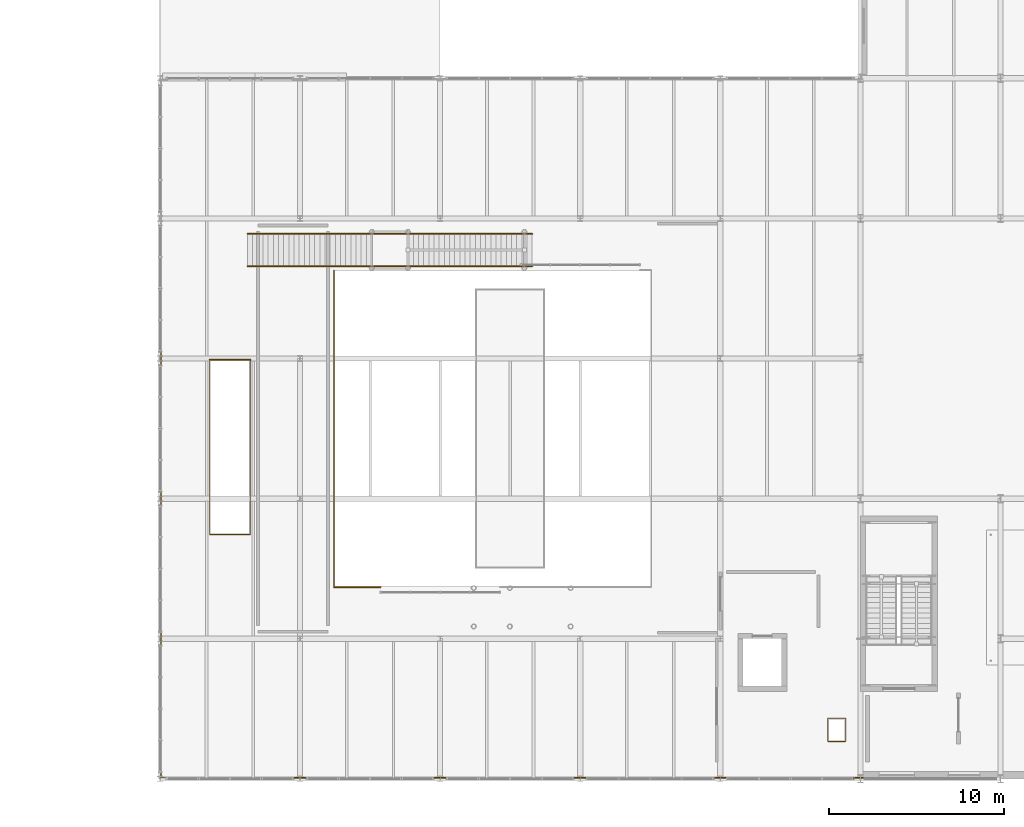
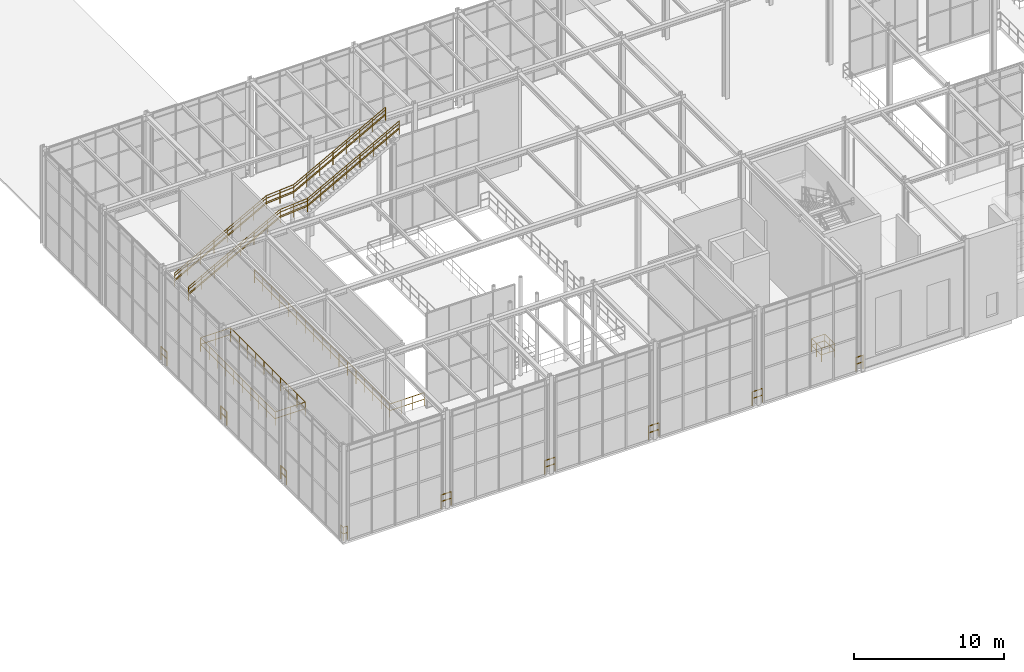
# One storey, part 127 of 138: 17 railings.
"""IFC4 building model written with IfcOpenShell, lengths in metres."""

from ifc_helpers import new_model, si_unit, direction, frame, origin, origin_2d, place, context, subcontext, project, spatial, circle, extrude, material, type_object, element, save


model = new_model("IFC4")

# Units and contexts
model_context = context("Model", 3, precision=1e-05, world=origin(), true_north=direction((0.0, 1.0)))
body_context = subcontext(model_context, "Body", "Model", "MODEL_VIEW")
ifc_project = project(units=[si_unit("LENGTHUNIT", "METRE"), si_unit("AREAUNIT", "SQUARE_METRE"), si_unit("VOLUMEUNIT", "CUBIC_METRE"), si_unit("PLANEANGLEUNIT", "RADIAN"), si_unit("MASSUNIT", "GRAM", prefix="KILO")], contexts=[model_context])

# Site, building, storey
site_placement = place(None, origin())
site = spatial("IfcSite", under=ifc_project, at=site_placement, CompositionType="ELEMENT")
building_placement = place(site_placement, origin())
building = spatial("IfcBuilding", under=site, at=building_placement, Name="Sundkrona Museum", CompositionType="ELEMENT")
storey_placement = place(building_placement, frame((0.0, 0.0, 9.60009765625)))
storey = spatial("IfcBuildingStorey", under=building, at=storey_placement, Name="L02", CompositionType="ELEMENT", Elevation=9.60009765625)

# Railings
ifc_material_1 = material(Name="Painted Steel S355J2 and Laminated Glass Balustrade", Category="steel")
railing_type_1 = type_object("IfcRailingType", Name="RL-GUARD-1100", PredefinedType="BALUSTRADE", material=ifc_material_1)
railing_1_placement = place(storey_placement, frame((82.840087890625, 23.8798828125, 0.0)))
element("IfcRailing", 1, at=railing_1_placement, inside=storey, type_object=railing_type_1, Name="FS-2 Arrival Floor Well Balustrade", PredefinedType="BALUSTRADE", context=body_context, shape_type="SweptSolid", body=[
    extrude(circle(Radius=0.02392578125, at=origin_2d()), frame((0.0, 0.0, 1.09619140625), z_axis=(0.0, -1.0, 0.0), x_axis=(1.0, 0.0, 0.0)), (0.0, 0.0, 1.0), 9.919921875),
    extrude(circle(Radius=0.02392578125, at=origin_2d()), frame((0.0, 0.0, 0.56005859375), z_axis=(0.0, -1.0, 0.0), x_axis=(1.0, 0.0, 0.0)), (0.0, 0.0, 1.0), 9.919921875),
    extrude(circle(Radius=0.02392578125, at=origin_2d()), frame((0.0, -9.919921875, 1.09619140625), z_axis=(1.0, 0.0, 0.0), x_axis=(0.0, 1.0, 0.0)), (0.0, 0.0, 1.0), 2.31982421875),
    extrude(circle(Radius=0.02392578125, at=origin_2d()), frame((0.0, -9.919921875, 0.56005859375), z_axis=(1.0, 0.0, 0.0), x_axis=(0.0, 1.0, 0.0)), (0.0, 0.0, 1.0), 2.31982421875),
    extrude(circle(Radius=0.02392578125, at=origin_2d()), frame((2.31982421875, -9.919921875, 1.09619140625), z_axis=(0.0, 1.0, 0.0), x_axis=(-1.0, 0.0, 0.0)), (0.0, 0.0, 1.0), 9.919921875),
    extrude(circle(Radius=0.02392578125, at=origin_2d()), frame((2.31982421875, -9.919921875, 0.56005859375), z_axis=(0.0, 1.0, 0.0), x_axis=(-1.0, 0.0, 0.0)), (0.0, 0.0, 1.0), 9.919921875),
    extrude(circle(Radius=0.02099609375, at=origin_2d()), origin(), (0.0, 0.0, 1.0), 1.072021484375),
    extrude(circle(Radius=0.02099609375, at=origin_2d()), frame((0.0, -1.102294921875, 0.0)), (0.0, 0.0, 1.0), 1.072021484375),
    extrude(circle(Radius=0.02099609375, at=origin_2d()), frame((0.0, -2.204345703125, 0.0)), (0.0, 0.0, 1.0), 1.072021484375),
    extrude(circle(Radius=0.02099609375, at=origin_2d()), frame((0.0, -3.306640625, 0.0)), (0.0, 0.0, 1.0), 1.072021484375),
    extrude(circle(Radius=0.02099609375, at=origin_2d()), frame((0.0, -4.408935546875, 0.0)), (0.0, 0.0, 1.0), 1.072021484375),
    extrude(circle(Radius=0.02099609375, at=origin_2d()), frame((0.0, -5.510986328125, 0.0)), (0.0, 0.0, 1.0), 1.072021484375),
    extrude(circle(Radius=0.02099609375, at=origin_2d()), frame((0.0, -6.61328125, 0.0)), (0.0, 0.0, 1.0), 1.072021484375),
    extrude(circle(Radius=0.02099609375, at=origin_2d()), frame((0.0, -7.715576171875, 0.0)), (0.0, 0.0, 1.0), 1.072021484375),
    extrude(circle(Radius=0.02099609375, at=origin_2d()), frame((0.0, -8.817626953125, 0.0)), (0.0, 0.0, 1.0), 1.072021484375),
    extrude(circle(Radius=0.02099609375, at=origin_2d()), frame((0.0, -9.919921875, 0.0)), (0.0, 0.0, 1.0), 1.072021484375),
    extrude(circle(Radius=0.02099609375, at=origin_2d()), frame((1.159912109375, -9.919921875, 0.0)), (0.0, 0.0, 1.0), 1.072021484375),
    extrude(circle(Radius=0.02099609375, at=origin_2d()), frame((2.31982421875, -9.919921875, 0.0)), (0.0, 0.0, 1.0), 1.072021484375),
    extrude(circle(Radius=0.02099609375, at=origin_2d()), frame((2.31982421875, -8.817626953125, 0.0)), (0.0, 0.0, 1.0), 1.072021484375),
    extrude(circle(Radius=0.02099609375, at=origin_2d()), frame((2.31982421875, -7.715576171875, 0.0)), (0.0, 0.0, 1.0), 1.072021484375),
    extrude(circle(Radius=0.02099609375, at=origin_2d()), frame((2.31982421875, -6.61328125, 0.0)), (0.0, 0.0, 1.0), 1.072021484375),
    extrude(circle(Radius=0.02099609375, at=origin_2d()), frame((2.31982421875, -5.510986328125, 0.0)), (0.0, 0.0, 1.0), 1.072021484375),
    extrude(circle(Radius=0.02099609375, at=origin_2d()), frame((2.31982421875, -4.408935546875, 0.0)), (0.0, 0.0, 1.0), 1.072021484375),
    extrude(circle(Radius=0.02099609375, at=origin_2d()), frame((2.31982421875, -3.306640625, 0.0)), (0.0, 0.0, 1.0), 1.072021484375),
    extrude(circle(Radius=0.02099609375, at=origin_2d()), frame((2.31982421875, -2.204345703125, 0.0)), (0.0, 0.0, 1.0), 1.072021484375),
    extrude(circle(Radius=0.02099609375, at=origin_2d()), frame((2.31982421875, -1.102294921875, 0.0)), (0.0, 0.0, 1.0), 1.072021484375),
    extrude(circle(Radius=0.02099609375, at=origin_2d()), frame((2.31982421875, 0.0, 0.0)), (0.0, 0.0, 1.0), 1.072021484375),
])
railing_2_placement = place(storey_placement, frame((85.0, 31.125, 0.159912109375)))
element("IfcRailing", 2, at=railing_2_placement, inside=storey, type_object=railing_type_1, Name="FS-3 Feature Stair Balustrade L", PredefinedType="BALUSTRADE", context=body_context, shape_type="SweptSolid", body=[
    extrude(circle(Radius=0.02392578125, at=origin_2d()), frame((0.0, 0.0, 1.09619140625), z_axis=(0.879029487295, 0.0, 0.476767407092), x_axis=(0.0, 1.0, 0.0)), (0.0, 0.0, 1.0), 8.054443359375),
    extrude(circle(Radius=0.02392578125, at=origin_2d()), frame((0.0, 0.0, 0.56005859375), z_axis=(0.879029487295, 0.0, 0.476767407092), x_axis=(0.0, 1.0, 0.0)), (0.0, 0.0, 1.0), 8.054443359375),
    extrude(circle(Radius=0.02392578125, at=origin_2d()), frame((7.080078125, 0.0, 4.93603515625), z_axis=(0.997112840886, 0.0, 0.07593406706), x_axis=(0.0, 1.0, 0.0)), (0.0, 0.0, 1.0), 2.10595703125),
    extrude(circle(Radius=0.02392578125, at=origin_2d()), frame((7.080078125, 0.0, 4.400146484375), z_axis=(0.997112840886, 0.0, 0.07593406706), x_axis=(0.0, 1.0, 0.0)), (0.0, 0.0, 1.0), 2.10595703125),
    extrude(circle(Radius=0.02392578125, at=origin_2d()), frame((9.179931640625, 0.0, 5.09619140625), z_axis=(0.879029487295, 0.0, 0.476767407092), x_axis=(0.0, 1.0, 0.0)), (0.0, 0.0, 1.0), 8.054443359375),
    extrude(circle(Radius=0.02392578125, at=origin_2d()), frame((9.179931640625, 0.0, 4.56005859375), z_axis=(0.879029487295, 0.0, 0.476767407092), x_axis=(0.0, 1.0, 0.0)), (0.0, 0.0, 1.0), 8.054443359375),
    extrude(circle(Radius=0.02099609375, at=origin_2d()), origin(), (0.0, 0.0, 1.0), 1.072021484375),
    extrude(circle(Radius=0.02099609375, at=origin_2d()), frame((1.011474609375, 0.0, 0.548583984375)), (0.0, 0.0, 1.0), 1.072021484375),
    extrude(circle(Radius=0.02099609375, at=origin_2d()), frame((2.02294921875, 0.0, 1.09716796875)), (0.0, 0.0, 1.0), 1.072021484375),
    extrude(circle(Radius=0.02099609375, at=origin_2d()), frame((3.034423828125, 0.0, 1.645751953125)), (0.0, 0.0, 1.0), 1.072021484375),
    extrude(circle(Radius=0.02099609375, at=origin_2d()), frame((4.045654296875, 0.0, 2.1943359375)), (0.0, 0.0, 1.0), 1.072021484375),
    extrude(circle(Radius=0.02099609375, at=origin_2d()), frame((5.05712890625, 0.0, 2.742919921875)), (0.0, 0.0, 1.0), 1.072021484375),
    extrude(circle(Radius=0.02099609375, at=origin_2d()), frame((6.068603515625, 0.0, 3.29150390625)), (0.0, 0.0, 1.0), 1.072021484375),
    extrude(circle(Radius=0.02099609375, at=origin_2d()), frame((7.080078125, 0.0, 3.840087890625)), (0.0, 0.0, 1.0), 1.072021484375),
    extrude(circle(Radius=0.02099609375, at=origin_2d()), frame((8.1298828125, 0.0, 3.919921875)), (0.0, 0.0, 1.0), 1.072021484375),
    extrude(circle(Radius=0.02099609375, at=origin_2d()), frame((9.179931640625, 0.0, 4.0)), (0.0, 0.0, 1.0), 1.072021484375),
    extrude(circle(Radius=0.02099609375, at=origin_2d()), frame((10.19140625, 0.0, 4.548583984375)), (0.0, 0.0, 1.0), 1.072021484375),
    extrude(circle(Radius=0.02099609375, at=origin_2d()), frame((11.202880859375, 0.0, 5.09716796875)), (0.0, 0.0, 1.0), 1.072021484375),
    extrude(circle(Radius=0.02099609375, at=origin_2d()), frame((12.21435546875, 0.0, 5.645751953125)), (0.0, 0.0, 1.0), 1.072021484375),
    extrude(circle(Radius=0.02099609375, at=origin_2d()), frame((13.2255859375, 0.0, 6.1943359375)), (0.0, 0.0, 1.0), 1.072021484375),
    extrude(circle(Radius=0.02099609375, at=origin_2d()), frame((14.237060546875, 0.0, 6.742919921875)), (0.0, 0.0, 1.0), 1.072021484375),
    extrude(circle(Radius=0.02099609375, at=origin_2d()), frame((15.24853515625, 0.0, 7.29150390625)), (0.0, 0.0, 1.0), 1.072021484375),
    extrude(circle(Radius=0.02099609375, at=origin_2d()), frame((16.260009765625, 0.0, 7.840087890625)), (0.0, 0.0, 1.0), 1.072021484375),
])
railing_3_placement = place(storey_placement, frame((85.0, 29.27490234375, 0.159912109375)))
element("IfcRailing", 3, at=railing_3_placement, inside=storey, type_object=railing_type_1, Name="FS-3 Feature Stair Balustrade R", PredefinedType="BALUSTRADE", context=body_context, shape_type="SweptSolid", body=[
    extrude(circle(Radius=0.02392578125, at=origin_2d()), frame((0.0, 0.0, 1.09619140625), z_axis=(0.879029487295, 0.0, 0.476767407092), x_axis=(0.0, 1.0, 0.0)), (0.0, 0.0, 1.0), 8.054443359375),
    extrude(circle(Radius=0.02392578125, at=origin_2d()), frame((0.0, 0.0, 0.56005859375), z_axis=(0.879029487295, 0.0, 0.476767407092), x_axis=(0.0, 1.0, 0.0)), (0.0, 0.0, 1.0), 8.054443359375),
    extrude(circle(Radius=0.02392578125, at=origin_2d()), frame((7.080078125, 0.0, 4.93603515625), z_axis=(0.997112840886, 0.0, 0.07593406706), x_axis=(0.0, 1.0, 0.0)), (0.0, 0.0, 1.0), 2.10595703125),
    extrude(circle(Radius=0.02392578125, at=origin_2d()), frame((7.080078125, 0.0, 4.400146484375), z_axis=(0.997112840886, 0.0, 0.07593406706), x_axis=(0.0, 1.0, 0.0)), (0.0, 0.0, 1.0), 2.10595703125),
    extrude(circle(Radius=0.02392578125, at=origin_2d()), frame((9.179931640625, 0.0, 5.09619140625), z_axis=(0.879029487295, 0.0, 0.476767407092), x_axis=(0.0, 1.0, 0.0)), (0.0, 0.0, 1.0), 8.054443359375),
    extrude(circle(Radius=0.02392578125, at=origin_2d()), frame((9.179931640625, 0.0, 4.56005859375), z_axis=(0.879029487295, 0.0, 0.476767407092), x_axis=(0.0, 1.0, 0.0)), (0.0, 0.0, 1.0), 8.054443359375),
    extrude(circle(Radius=0.02099609375, at=origin_2d()), origin(), (0.0, 0.0, 1.0), 1.072021484375),
    extrude(circle(Radius=0.02099609375, at=origin_2d()), frame((1.011474609375, 0.0, 0.548583984375)), (0.0, 0.0, 1.0), 1.072021484375),
    extrude(circle(Radius=0.02099609375, at=origin_2d()), frame((2.02294921875, 0.0, 1.09716796875)), (0.0, 0.0, 1.0), 1.072021484375),
    extrude(circle(Radius=0.02099609375, at=origin_2d()), frame((3.034423828125, 0.0, 1.645751953125)), (0.0, 0.0, 1.0), 1.072021484375),
    extrude(circle(Radius=0.02099609375, at=origin_2d()), frame((4.045654296875, 0.0, 2.1943359375)), (0.0, 0.0, 1.0), 1.072021484375),
    extrude(circle(Radius=0.02099609375, at=origin_2d()), frame((5.05712890625, 0.0, 2.742919921875)), (0.0, 0.0, 1.0), 1.072021484375),
    extrude(circle(Radius=0.02099609375, at=origin_2d()), frame((6.068603515625, 0.0, 3.29150390625)), (0.0, 0.0, 1.0), 1.072021484375),
    extrude(circle(Radius=0.02099609375, at=origin_2d()), frame((7.080078125, 0.0, 3.840087890625)), (0.0, 0.0, 1.0), 1.072021484375),
    extrude(circle(Radius=0.02099609375, at=origin_2d()), frame((8.1298828125, 0.0, 3.919921875)), (0.0, 0.0, 1.0), 1.072021484375),
    extrude(circle(Radius=0.02099609375, at=origin_2d()), frame((9.179931640625, 0.0, 4.0)), (0.0, 0.0, 1.0), 1.072021484375),
    extrude(circle(Radius=0.02099609375, at=origin_2d()), frame((10.19140625, 0.0, 4.548583984375)), (0.0, 0.0, 1.0), 1.072021484375),
    extrude(circle(Radius=0.02099609375, at=origin_2d()), frame((11.202880859375, 0.0, 5.09716796875)), (0.0, 0.0, 1.0), 1.072021484375),
    extrude(circle(Radius=0.02099609375, at=origin_2d()), frame((12.21435546875, 0.0, 5.645751953125)), (0.0, 0.0, 1.0), 1.072021484375),
    extrude(circle(Radius=0.02099609375, at=origin_2d()), frame((13.2255859375, 0.0, 6.1943359375)), (0.0, 0.0, 1.0), 1.072021484375),
    extrude(circle(Radius=0.02099609375, at=origin_2d()), frame((14.237060546875, 0.0, 6.742919921875)), (0.0, 0.0, 1.0), 1.072021484375),
    extrude(circle(Radius=0.02099609375, at=origin_2d()), frame((15.24853515625, 0.0, 7.29150390625)), (0.0, 0.0, 1.0), 1.072021484375),
    extrude(circle(Radius=0.02099609375, at=origin_2d()), frame((16.260009765625, 0.0, 7.840087890625)), (0.0, 0.0, 1.0), 1.072021484375),
])
railing_4_placement = place(storey_placement, frame((80.39990234375, 0.06005859375, 0.0)))
element("IfcRailing", 4, at=railing_4_placement, inside=storey, type_object=railing_type_1, Name="L02 Edge Protection Balustrade 020", PredefinedType="BALUSTRADE", context=body_context, shape_type="SweptSolid", body=[
    extrude(circle(Radius=0.02392578125, at=origin_2d()), frame((0.0, 0.0, 1.09619140625), z_axis=(-1.0, 0.0, 0.0), x_axis=(0.0, -1.0, 0.0)), (0.0, 0.0, 1.0), 0.33984375),
    extrude(circle(Radius=0.02392578125, at=origin_2d()), frame((0.0, 0.0, 0.56005859375), z_axis=(-1.0, 0.0, 0.0), x_axis=(0.0, -1.0, 0.0)), (0.0, 0.0, 1.0), 0.33984375),
    extrude(circle(Radius=0.02392578125, at=origin_2d()), frame((-0.33984375, 0.0, 1.09619140625), z_axis=(0.0, 1.0, 0.0), x_axis=(-1.0, 0.0, 0.0)), (0.0, 0.0, 1.0), 0.33984375),
    extrude(circle(Radius=0.02392578125, at=origin_2d()), frame((-0.33984375, 0.0, 0.56005859375), z_axis=(0.0, 1.0, 0.0), x_axis=(-1.0, 0.0, 0.0)), (0.0, 0.0, 1.0), 0.33984375),
    extrude(circle(Radius=0.02099609375, at=origin_2d()), origin(), (0.0, 0.0, 1.0), 1.072021484375),
    extrude(circle(Radius=0.02099609375, at=origin_2d()), frame((-0.33984375, 0.0, 0.0)), (0.0, 0.0, 1.0), 1.072021484375),
    extrude(circle(Radius=0.02099609375, at=origin_2d()), frame((-0.33984375, 0.33984375, 0.0)), (0.0, 0.0, 1.0), 1.072021484375),
])
for number, where, name in (
    (5, (80.06005859375, 7.60009765625, 0.0), "L02 Edge Protection Balustrade 021"),
    (6, (80.06005859375, 15.60009765625, 0.0), "L02 Edge Protection Balustrade 022"),
    (7, (80.06005859375, 23.60009765625, 0.0), "L02 Edge Protection Balustrade 023"),
):
    element("IfcRailing", number, at=place(storey_placement, frame(where)), inside=storey, type_object=railing_type_1, Name=name, PredefinedType="BALUSTRADE", context=body_context, shape_type="SweptSolid", body=[
        extrude(circle(Radius=0.02392578125, at=origin_2d()), frame((0.0, 0.0, 1.09619140625), z_axis=(0.0, 1.0, 0.0), x_axis=(-1.0, 0.0, 0.0)), (0.0, 0.0, 1.0), 0.7998046875),
        extrude(circle(Radius=0.02392578125, at=origin_2d()), frame((0.0, 0.0, 0.56005859375), z_axis=(0.0, 1.0, 0.0), x_axis=(-1.0, 0.0, 0.0)), (0.0, 0.0, 1.0), 0.7998046875),
        extrude(circle(Radius=0.02099609375, at=origin_2d()), origin(), (0.0, 0.0, 1.0), 1.072021484375),
        extrude(circle(Radius=0.02099609375, at=origin_2d()), frame((0.0, 0.7998046875, 0.0)), (0.0, 0.0, 1.0), 1.072021484375),
    ])
railing_5_placement = place(storey_placement, frame((85.159912109375, 23.89990234375, 0.0)))
element("IfcRailing", 8, at=railing_5_placement, inside=storey, type_object=railing_type_1, Name="L02 Edge Protection Balustrade 026", PredefinedType="BALUSTRADE", context=body_context, shape_type="SweptSolid", body=[
    extrude(circle(Radius=0.02392578125, at=origin_2d()), frame((0.0, 0.0, 1.09619140625), z_axis=(0.0, 1.0, 0.0), x_axis=(-1.0, 0.0, 0.0)), (0.0, 0.0, 1.0), 0.0400390625),
    extrude(circle(Radius=0.02392578125, at=origin_2d()), frame((0.0, 0.0, 0.56005859375), z_axis=(0.0, 1.0, 0.0), x_axis=(-1.0, 0.0, 0.0)), (0.0, 0.0, 1.0), 0.0400390625),
    extrude(circle(Radius=0.02392578125, at=origin_2d()), frame((0.0, 0.0400390625, 1.09619140625), z_axis=(-1.0, 0.0, 0.0), x_axis=(0.0, -1.0, 0.0)), (0.0, 0.0, 1.0), 2.31982421875),
    extrude(circle(Radius=0.02392578125, at=origin_2d()), frame((0.0, 0.0400390625, 0.56005859375), z_axis=(-1.0, 0.0, 0.0), x_axis=(0.0, -1.0, 0.0)), (0.0, 0.0, 1.0), 2.31982421875),
    extrude(circle(Radius=0.02099609375, at=origin_2d()), origin(), (0.0, 0.0, 1.0), 1.072021484375),
    extrude(circle(Radius=0.02099609375, at=origin_2d()), frame((0.0, 0.0400390625, 0.0)), (0.0, 0.0, 1.0), 1.072021484375),
    extrude(circle(Radius=0.02099609375, at=origin_2d()), frame((-1.159912109375, 0.0400390625, 0.0)), (0.0, 0.0, 1.0), 1.072021484375),
    extrude(circle(Radius=0.02099609375, at=origin_2d()), frame((-2.31982421875, 0.0400390625, 0.0)), (0.0, 0.0, 1.0), 1.072021484375),
])
railing_6_placement = place(storey_placement, frame((88.39990234375, 0.06005859375, 0.0)))
element("IfcRailing", 9, at=railing_6_placement, inside=storey, type_object=railing_type_1, Name="L02 Edge Protection Balustrade 027", PredefinedType="BALUSTRADE", context=body_context, shape_type="SweptSolid", body=[
    extrude(circle(Radius=0.02392578125, at=origin_2d()), frame((0.0, 0.0, 1.09619140625), z_axis=(-1.0, 0.0, 0.0), x_axis=(0.0, -1.0, 0.0)), (0.0, 0.0, 1.0), 0.7998046875),
    extrude(circle(Radius=0.02392578125, at=origin_2d()), frame((0.0, 0.0, 0.56005859375), z_axis=(-1.0, 0.0, 0.0), x_axis=(0.0, -1.0, 0.0)), (0.0, 0.0, 1.0), 0.7998046875),
    extrude(circle(Radius=0.02099609375, at=origin_2d()), origin(), (0.0, 0.0, 1.0), 1.072021484375),
    extrude(circle(Radius=0.02099609375, at=origin_2d()), frame((-0.7998046875, 0.0, 0.0)), (0.0, 0.0, 1.0), 1.072021484375),
])
railing_7_placement = place(storey_placement, frame((89.93994140625, 29.014892578125, 0.0)))
element("IfcRailing", 10, at=railing_7_placement, inside=storey, type_object=railing_type_1, Name="L02 Edge Protection Balustrade 029", PredefinedType="BALUSTRADE", context=body_context, shape_type="SweptSolid", body=[
    extrude(circle(Radius=0.02392578125, at=origin_2d()), frame((0.0, 0.0, 1.09619140625), z_axis=(0.0, -1.0, 0.0), x_axis=(1.0, 0.0, 0.0)), (0.0, 0.0, 1.0), 18.074951171875),
    extrude(circle(Radius=0.02392578125, at=origin_2d()), frame((0.0, 0.0, 0.56005859375), z_axis=(0.0, -1.0, 0.0), x_axis=(1.0, 0.0, 0.0)), (0.0, 0.0, 1.0), 18.074951171875),
    extrude(circle(Radius=0.02392578125, at=origin_2d()), frame((0.0, -18.074951171875, 1.09619140625), z_axis=(1.0, 0.0, 0.0), x_axis=(0.0, 1.0, 0.0)), (0.0, 0.0, 1.0), 2.66015625),
    extrude(circle(Radius=0.02392578125, at=origin_2d()), frame((0.0, -18.074951171875, 0.56005859375), z_axis=(1.0, 0.0, 0.0), x_axis=(0.0, 1.0, 0.0)), (0.0, 0.0, 1.0), 2.66015625),
    extrude(circle(Radius=0.02099609375, at=origin_2d()), origin(), (0.0, 0.0, 1.0), 1.072021484375),
    extrude(circle(Radius=0.02099609375, at=origin_2d()), frame((0.0, -1.129638671875, 0.0)), (0.0, 0.0, 1.0), 1.072021484375),
    extrude(circle(Radius=0.02099609375, at=origin_2d()), frame((0.0, -2.25927734375, 0.0)), (0.0, 0.0, 1.0), 1.072021484375),
    extrude(circle(Radius=0.02099609375, at=origin_2d()), frame((0.0, -3.38916015625, 0.0)), (0.0, 0.0, 1.0), 1.072021484375),
    extrude(circle(Radius=0.02099609375, at=origin_2d()), frame((0.0, -4.518798828125, 0.0)), (0.0, 0.0, 1.0), 1.072021484375),
    extrude(circle(Radius=0.02099609375, at=origin_2d()), frame((0.0, -5.6484375, 0.0)), (0.0, 0.0, 1.0), 1.072021484375),
    extrude(circle(Radius=0.02099609375, at=origin_2d()), frame((0.0, -6.778076171875, 0.0)), (0.0, 0.0, 1.0), 1.072021484375),
    extrude(circle(Radius=0.02099609375, at=origin_2d()), frame((0.0, -7.90771484375, 0.0)), (0.0, 0.0, 1.0), 1.072021484375),
    extrude(circle(Radius=0.02099609375, at=origin_2d()), frame((0.0, -9.03759765625, 0.0)), (0.0, 0.0, 1.0), 1.072021484375),
    extrude(circle(Radius=0.02099609375, at=origin_2d()), frame((0.0, -10.167236328125, 0.0)), (0.0, 0.0, 1.0), 1.072021484375),
    extrude(circle(Radius=0.02099609375, at=origin_2d()), frame((0.0, -11.296875, 0.0)), (0.0, 0.0, 1.0), 1.072021484375),
    extrude(circle(Radius=0.02099609375, at=origin_2d()), frame((0.0, -12.426513671875, 0.0)), (0.0, 0.0, 1.0), 1.072021484375),
    extrude(circle(Radius=0.02099609375, at=origin_2d()), frame((0.0, -13.55615234375, 0.0)), (0.0, 0.0, 1.0), 1.072021484375),
    extrude(circle(Radius=0.02099609375, at=origin_2d()), frame((0.0, -14.685791015625, 0.0)), (0.0, 0.0, 1.0), 1.072021484375),
    extrude(circle(Radius=0.02099609375, at=origin_2d()), frame((0.0, -15.815673828125, 0.0)), (0.0, 0.0, 1.0), 1.072021484375),
    extrude(circle(Radius=0.02099609375, at=origin_2d()), frame((0.0, -16.9453125, 0.0)), (0.0, 0.0, 1.0), 1.072021484375),
    extrude(circle(Radius=0.02099609375, at=origin_2d()), frame((0.0, -18.074951171875, 0.0)), (0.0, 0.0, 1.0), 1.072021484375),
    extrude(circle(Radius=0.02099609375, at=origin_2d()), frame((0.88671875, -18.074951171875, 0.0)), (0.0, 0.0, 1.0), 1.072021484375),
    extrude(circle(Radius=0.02099609375, at=origin_2d()), frame((1.7734375, -18.074951171875, 0.0)), (0.0, 0.0, 1.0), 1.072021484375),
    extrude(circle(Radius=0.02099609375, at=origin_2d()), frame((2.66015625, -18.074951171875, 0.0)), (0.0, 0.0, 1.0), 1.072021484375),
])
for number, where, name in (
    (11, (96.39990234375, 0.06005859375, 0.0), "L02 Edge Protection Balustrade 030"),
    (12, (104.39990234375, 0.06005859375, 0.0), "L02 Edge Protection Balustrade 034"),
    (13, (112.39990234375, 0.06005859375, 0.0), "L02 Edge Protection Balustrade 036"),
):
    element("IfcRailing", number, at=place(storey_placement, frame(where)), inside=storey, type_object=railing_type_1, Name=name, PredefinedType="BALUSTRADE", context=body_context, shape_type="SweptSolid", body=[
        extrude(circle(Radius=0.02392578125, at=origin_2d()), frame((0.0, 0.0, 1.09619140625), z_axis=(-1.0, 0.0, 0.0), x_axis=(0.0, -1.0, 0.0)), (0.0, 0.0, 1.0), 0.7998046875),
        extrude(circle(Radius=0.02392578125, at=origin_2d()), frame((0.0, 0.0, 0.56005859375), z_axis=(-1.0, 0.0, 0.0), x_axis=(0.0, -1.0, 0.0)), (0.0, 0.0, 1.0), 0.7998046875),
        extrude(circle(Radius=0.02099609375, at=origin_2d()), origin(), (0.0, 0.0, 1.0), 1.072021484375),
        extrude(circle(Radius=0.02099609375, at=origin_2d()), frame((-0.7998046875, 0.0, 0.0)), (0.0, 0.0, 1.0), 1.072021484375),
    ])
railing_8_placement = place(storey_placement, frame((118.139892578125, 3.4599609375, 0.0)))
element("IfcRailing", 14, at=railing_8_placement, inside=storey, type_object=railing_type_1, Name="L02 Edge Protection Balustrade 039", PredefinedType="BALUSTRADE", context=body_context, shape_type="SweptSolid", body=[
    extrude(circle(Radius=0.02392578125, at=origin_2d()), frame((0.0, 0.0, 1.09619140625), z_axis=(0.0, -1.0, 0.0), x_axis=(1.0, 0.0, 0.0)), (0.0, 0.0, 1.0), 1.320068359375),
    extrude(circle(Radius=0.02392578125, at=origin_2d()), frame((0.0, 0.0, 0.56005859375), z_axis=(0.0, -1.0, 0.0), x_axis=(1.0, 0.0, 0.0)), (0.0, 0.0, 1.0), 1.320068359375),
    extrude(circle(Radius=0.02392578125, at=origin_2d()), frame((0.0, -1.320068359375, 1.09619140625), z_axis=(1.0, 0.0, 0.0), x_axis=(0.0, 1.0, 0.0)), (0.0, 0.0, 1.0), 1.02001953125),
    extrude(circle(Radius=0.02392578125, at=origin_2d()), frame((0.0, -1.320068359375, 0.56005859375), z_axis=(1.0, 0.0, 0.0), x_axis=(0.0, 1.0, 0.0)), (0.0, 0.0, 1.0), 1.02001953125),
    extrude(circle(Radius=0.02392578125, at=origin_2d()), frame((1.02001953125, -1.320068359375, 1.09619140625), z_axis=(0.0, 1.0, 0.0), x_axis=(-1.0, 0.0, 0.0)), (0.0, 0.0, 1.0), 1.320068359375),
    extrude(circle(Radius=0.02392578125, at=origin_2d()), frame((1.02001953125, -1.320068359375, 0.56005859375), z_axis=(0.0, 1.0, 0.0), x_axis=(-1.0, 0.0, 0.0)), (0.0, 0.0, 1.0), 1.320068359375),
    extrude(circle(Radius=0.02392578125, at=origin_2d()), frame((1.02001953125, 0.0, 1.09619140625), z_axis=(-1.0, 0.0, 0.0), x_axis=(0.0, -1.0, 0.0)), (0.0, 0.0, 1.0), 1.02001953125),
    extrude(circle(Radius=0.02392578125, at=origin_2d()), frame((1.02001953125, 0.0, 0.56005859375), z_axis=(-1.0, 0.0, 0.0), x_axis=(0.0, -1.0, 0.0)), (0.0, 0.0, 1.0), 1.02001953125),
    extrude(circle(Radius=0.02099609375, at=origin_2d()), origin(), (0.0, 0.0, 1.0), 1.072021484375),
    extrude(circle(Radius=0.02099609375, at=origin_2d()), frame((0.0, -0.66015625, 0.0)), (0.0, 0.0, 1.0), 1.072021484375),
    extrude(circle(Radius=0.02099609375, at=origin_2d()), frame((0.0, -1.320068359375, 0.0)), (0.0, 0.0, 1.0), 1.072021484375),
    extrude(circle(Radius=0.02099609375, at=origin_2d()), frame((1.02001953125, -1.320068359375, 0.0)), (0.0, 0.0, 1.0), 1.072021484375),
    extrude(circle(Radius=0.02099609375, at=origin_2d()), frame((1.02001953125, -0.66015625, 0.0)), (0.0, 0.0, 1.0), 1.072021484375),
    extrude(circle(Radius=0.02099609375, at=origin_2d()), frame((1.02001953125, 0.0, 0.0)), (0.0, 0.0, 1.0), 1.072021484375),
])
railing_9_placement = place(storey_placement, frame((120.152099609375, 0.06005859375, 0.0)))
element("IfcRailing", 15, at=railing_9_placement, inside=storey, type_object=railing_type_1, Name="L02 Edge Protection Balustrade 040", PredefinedType="BALUSTRADE", context=body_context, shape_type="SweptSolid", body=[
    extrude(circle(Radius=0.02392578125, at=origin_2d()), frame((0.0, 0.0, 1.09619140625), z_axis=(-1.0, 0.0, 0.0), x_axis=(0.0, -1.0, 0.0)), (0.0, 0.0, 1.0), 0.552001953125),
    extrude(circle(Radius=0.02392578125, at=origin_2d()), frame((0.0, 0.0, 0.56005859375), z_axis=(-1.0, 0.0, 0.0), x_axis=(0.0, -1.0, 0.0)), (0.0, 0.0, 1.0), 0.552001953125),
    extrude(circle(Radius=0.02099609375, at=origin_2d()), origin(), (0.0, 0.0, 1.0), 1.072021484375),
    extrude(circle(Radius=0.02099609375, at=origin_2d()), frame((-0.552001953125, 0.0, 0.0)), (0.0, 0.0, 1.0), 1.072021484375),
])
ifc_material_2 = material(Name="Brushed Bronze-Clad Steel Handrail", Category="steel")
railing_type_2 = type_object("IfcRailingType", Name="RL-HAND-900", PredefinedType="HANDRAIL", material=ifc_material_2)
railing_10_placement = place(storey_placement, frame((85.0, 31.125, 0.159912109375)))
element("IfcRailing", 16, at=railing_10_placement, inside=storey, type_object=railing_type_2, Name="FS-3 Feature Stair Handrail L", PredefinedType="HANDRAIL", context=body_context, shape_type="SweptSolid", body=[
    extrude(circle(Radius=0.02392578125, at=origin_2d()), frame((0.0, 0.0, 0.8759765625), z_axis=(0.879029487295, 0.0, 0.476767407092), x_axis=(0.0, 1.0, 0.0)), (0.0, 0.0, 1.0), 8.054443359375),
    extrude(circle(Radius=0.02392578125, at=origin_2d()), frame((0.0, 0.0, 0.449951171875), z_axis=(0.879029487295, 0.0, 0.476767407092), x_axis=(0.0, 1.0, 0.0)), (0.0, 0.0, 1.0), 8.054443359375),
    extrude(circle(Radius=0.02392578125, at=origin_2d()), frame((7.080078125, 0.0, 4.7158203125), z_axis=(0.997112840886, 0.0, 0.07593406706), x_axis=(0.0, 1.0, 0.0)), (0.0, 0.0, 1.0), 2.10595703125),
    extrude(circle(Radius=0.02392578125, at=origin_2d()), frame((7.080078125, 0.0, 4.2900390625), z_axis=(0.997112840886, 0.0, 0.07593406706), x_axis=(0.0, 1.0, 0.0)), (0.0, 0.0, 1.0), 2.10595703125),
    extrude(circle(Radius=0.02392578125, at=origin_2d()), frame((9.179931640625, 0.0, 4.8759765625), z_axis=(0.879029487295, 0.0, 0.476767407092), x_axis=(0.0, 1.0, 0.0)), (0.0, 0.0, 1.0), 8.054443359375),
    extrude(circle(Radius=0.02392578125, at=origin_2d()), frame((9.179931640625, 0.0, 4.449951171875), z_axis=(0.879029487295, 0.0, 0.476767407092), x_axis=(0.0, 1.0, 0.0)), (0.0, 0.0, 1.0), 8.054443359375),
    extrude(circle(Radius=0.02099609375, at=origin_2d()), origin(), (0.0, 0.0, 1.0), 0.851806640625),
    extrude(circle(Radius=0.02099609375, at=origin_2d()), frame((1.011474609375, 0.0, 0.548583984375)), (0.0, 0.0, 1.0), 0.851806640625),
    extrude(circle(Radius=0.02099609375, at=origin_2d()), frame((2.02294921875, 0.0, 1.09716796875)), (0.0, 0.0, 1.0), 0.851806640625),
    extrude(circle(Radius=0.02099609375, at=origin_2d()), frame((3.034423828125, 0.0, 1.645751953125)), (0.0, 0.0, 1.0), 0.851806640625),
    extrude(circle(Radius=0.02099609375, at=origin_2d()), frame((4.045654296875, 0.0, 2.1943359375)), (0.0, 0.0, 1.0), 0.851806640625),
    extrude(circle(Radius=0.02099609375, at=origin_2d()), frame((5.05712890625, 0.0, 2.742919921875)), (0.0, 0.0, 1.0), 0.851806640625),
    extrude(circle(Radius=0.02099609375, at=origin_2d()), frame((6.068603515625, 0.0, 3.29150390625)), (0.0, 0.0, 1.0), 0.851806640625),
    extrude(circle(Radius=0.02099609375, at=origin_2d()), frame((7.080078125, 0.0, 3.840087890625)), (0.0, 0.0, 1.0), 0.851806640625),
    extrude(circle(Radius=0.02099609375, at=origin_2d()), frame((8.1298828125, 0.0, 3.919921875)), (0.0, 0.0, 1.0), 0.851806640625),
    extrude(circle(Radius=0.02099609375, at=origin_2d()), frame((9.179931640625, 0.0, 4.0)), (0.0, 0.0, 1.0), 0.851806640625),
    extrude(circle(Radius=0.02099609375, at=origin_2d()), frame((10.19140625, 0.0, 4.548583984375)), (0.0, 0.0, 1.0), 0.851806640625),
    extrude(circle(Radius=0.02099609375, at=origin_2d()), frame((11.202880859375, 0.0, 5.09716796875)), (0.0, 0.0, 1.0), 0.851806640625),
    extrude(circle(Radius=0.02099609375, at=origin_2d()), frame((12.21435546875, 0.0, 5.645751953125)), (0.0, 0.0, 1.0), 0.851806640625),
    extrude(circle(Radius=0.02099609375, at=origin_2d()), frame((13.2255859375, 0.0, 6.1943359375)), (0.0, 0.0, 1.0), 0.851806640625),
    extrude(circle(Radius=0.02099609375, at=origin_2d()), frame((14.237060546875, 0.0, 6.742919921875)), (0.0, 0.0, 1.0), 0.851806640625),
    extrude(circle(Radius=0.02099609375, at=origin_2d()), frame((15.24853515625, 0.0, 7.29150390625)), (0.0, 0.0, 1.0), 0.851806640625),
    extrude(circle(Radius=0.02099609375, at=origin_2d()), frame((16.260009765625, 0.0, 7.840087890625)), (0.0, 0.0, 1.0), 0.851806640625),
])
railing_11_placement = place(storey_placement, frame((85.0, 29.27490234375, 0.159912109375)))
element("IfcRailing", 17, at=railing_11_placement, inside=storey, type_object=railing_type_2, Name="FS-3 Feature Stair Handrail R", PredefinedType="HANDRAIL", context=body_context, shape_type="SweptSolid", body=[
    extrude(circle(Radius=0.02392578125, at=origin_2d()), frame((0.0, 0.0, 0.8759765625), z_axis=(0.879029487295, 0.0, 0.476767407092), x_axis=(0.0, 1.0, 0.0)), (0.0, 0.0, 1.0), 8.054443359375),
    extrude(circle(Radius=0.02392578125, at=origin_2d()), frame((0.0, 0.0, 0.449951171875), z_axis=(0.879029487295, 0.0, 0.476767407092), x_axis=(0.0, 1.0, 0.0)), (0.0, 0.0, 1.0), 8.054443359375),
    extrude(circle(Radius=0.02392578125, at=origin_2d()), frame((7.080078125, 0.0, 4.7158203125), z_axis=(0.997112840886, 0.0, 0.07593406706), x_axis=(0.0, 1.0, 0.0)), (0.0, 0.0, 1.0), 2.10595703125),
    extrude(circle(Radius=0.02392578125, at=origin_2d()), frame((7.080078125, 0.0, 4.2900390625), z_axis=(0.997112840886, 0.0, 0.07593406706), x_axis=(0.0, 1.0, 0.0)), (0.0, 0.0, 1.0), 2.10595703125),
    extrude(circle(Radius=0.02392578125, at=origin_2d()), frame((9.179931640625, 0.0, 4.8759765625), z_axis=(0.879029487295, 0.0, 0.476767407092), x_axis=(0.0, 1.0, 0.0)), (0.0, 0.0, 1.0), 8.054443359375),
    extrude(circle(Radius=0.02392578125, at=origin_2d()), frame((9.179931640625, 0.0, 4.449951171875), z_axis=(0.879029487295, 0.0, 0.476767407092), x_axis=(0.0, 1.0, 0.0)), (0.0, 0.0, 1.0), 8.054443359375),
    extrude(circle(Radius=0.02099609375, at=origin_2d()), origin(), (0.0, 0.0, 1.0), 0.851806640625),
    extrude(circle(Radius=0.02099609375, at=origin_2d()), frame((1.011474609375, 0.0, 0.548583984375)), (0.0, 0.0, 1.0), 0.851806640625),
    extrude(circle(Radius=0.02099609375, at=origin_2d()), frame((2.02294921875, 0.0, 1.09716796875)), (0.0, 0.0, 1.0), 0.851806640625),
    extrude(circle(Radius=0.02099609375, at=origin_2d()), frame((3.034423828125, 0.0, 1.645751953125)), (0.0, 0.0, 1.0), 0.851806640625),
    extrude(circle(Radius=0.02099609375, at=origin_2d()), frame((4.045654296875, 0.0, 2.1943359375)), (0.0, 0.0, 1.0), 0.851806640625),
    extrude(circle(Radius=0.02099609375, at=origin_2d()), frame((5.05712890625, 0.0, 2.742919921875)), (0.0, 0.0, 1.0), 0.851806640625),
    extrude(circle(Radius=0.02099609375, at=origin_2d()), frame((6.068603515625, 0.0, 3.29150390625)), (0.0, 0.0, 1.0), 0.851806640625),
    extrude(circle(Radius=0.02099609375, at=origin_2d()), frame((7.080078125, 0.0, 3.840087890625)), (0.0, 0.0, 1.0), 0.851806640625),
    extrude(circle(Radius=0.02099609375, at=origin_2d()), frame((8.1298828125, 0.0, 3.919921875)), (0.0, 0.0, 1.0), 0.851806640625),
    extrude(circle(Radius=0.02099609375, at=origin_2d()), frame((9.179931640625, 0.0, 4.0)), (0.0, 0.0, 1.0), 0.851806640625),
    extrude(circle(Radius=0.02099609375, at=origin_2d()), frame((10.19140625, 0.0, 4.548583984375)), (0.0, 0.0, 1.0), 0.851806640625),
    extrude(circle(Radius=0.02099609375, at=origin_2d()), frame((11.202880859375, 0.0, 5.09716796875)), (0.0, 0.0, 1.0), 0.851806640625),
    extrude(circle(Radius=0.02099609375, at=origin_2d()), frame((12.21435546875, 0.0, 5.645751953125)), (0.0, 0.0, 1.0), 0.851806640625),
    extrude(circle(Radius=0.02099609375, at=origin_2d()), frame((13.2255859375, 0.0, 6.1943359375)), (0.0, 0.0, 1.0), 0.851806640625),
    extrude(circle(Radius=0.02099609375, at=origin_2d()), frame((14.237060546875, 0.0, 6.742919921875)), (0.0, 0.0, 1.0), 0.851806640625),
    extrude(circle(Radius=0.02099609375, at=origin_2d()), frame((15.24853515625, 0.0, 7.29150390625)), (0.0, 0.0, 1.0), 0.851806640625),
    extrude(circle(Radius=0.02099609375, at=origin_2d()), frame((16.260009765625, 0.0, 7.840087890625)), (0.0, 0.0, 1.0), 0.851806640625),
])

save(model, "model.ifc")
